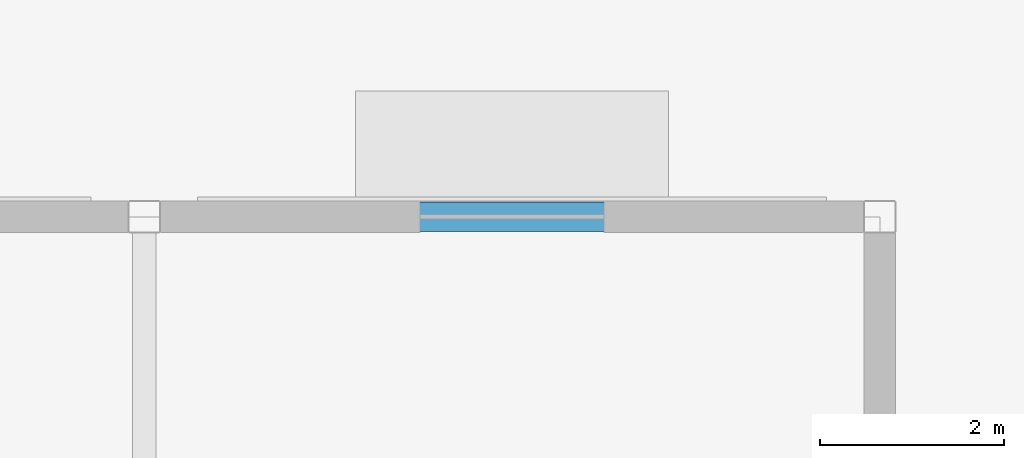
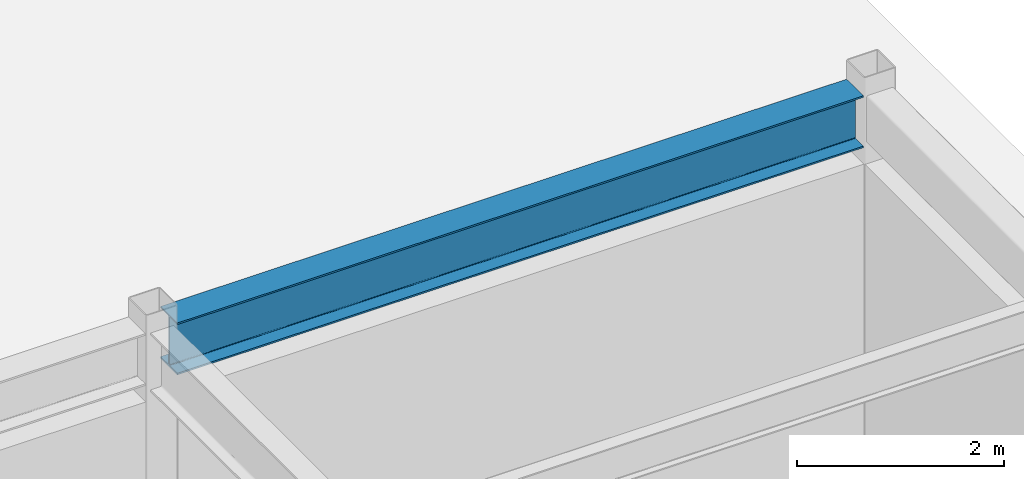
# One storey, part 83 of 128: 1 beam.
"""IFC4 building model written with IfcOpenShell, lengths in metres."""

from ifc_helpers import new_model, si_unit, direction, frame, origin, origin_2d, place, context, subcontext, project, spatial, i_section, extrude, material, material_profile, profile_set, type_object, element, save


model = new_model("IFC4")

# Units and contexts
model_context = context("Model", 3, precision=1e-05, world=origin(), true_north=direction((0.0, 1.0)))
body_context = subcontext(model_context, "Body", "Model", "MODEL_VIEW")
ifc_project = project(units=[si_unit("LENGTHUNIT", "METRE"), si_unit("AREAUNIT", "SQUARE_METRE"), si_unit("VOLUMEUNIT", "CUBIC_METRE"), si_unit("PLANEANGLEUNIT", "RADIAN"), si_unit("MASSUNIT", "GRAM", prefix="KILO")], contexts=[model_context])

# Site, building, storey
site_placement = place(None, origin())
site = spatial("IfcSite", under=ifc_project, at=site_placement, CompositionType="ELEMENT")
building_placement = place(site_placement, origin())
building = spatial("IfcBuilding", under=site, at=building_placement, Name="Solmirada Galleria", CompositionType="ELEMENT")
storey_placement = place(building_placement, origin())
storey = spatial("IfcBuildingStorey", under=building, at=storey_placement, Name="L00", CompositionType="ELEMENT", Elevation=0.0)

# Beam
ifc_material = material(Name="Steel S355 / ASTM A992 Grade 50", Category="steel")
ifc_material_profile = material_profile(ifc_material, i_section(OverallWidth=0.323974609375, OverallDepth=0.611083984375, WebThickness=0.0126953125, FlangeThickness=0.01904296875, FilletRadius=0.014892578125, at=origin_2d()), Name="W24X104")
ifc_profile_set = profile_set([ifc_material_profile], Name="Steel S355 / ASTM A992 Grade 50")
beam_type = type_object("IfcBeamType", Name="BM-GIRD-W24A", PredefinedType="BEAM", material=ifc_profile_set)
beam_placement = place(storey_placement, frame((168.177978515625, 32.0, 5.074462890625), z_axis=(1.0, 0.0, 0.0), x_axis=(0.0, 1.0, 0.0)))
element("IfcBeam", 1, at=beam_placement, inside=storey, type_object=beam_type, Name="Primary beam L01 X(168..176, 32)", PredefinedType="BEAM", context=body_context, shape_type="SweptSolid", body=[
    extrude(i_section(OverallWidth=0.323974609375, OverallDepth=0.611083984375, WebThickness=0.0126953125, FlangeThickness=0.01904296875, FilletRadius=0.014892578125, at=origin_2d()), origin(), (0.0, 0.0, 1.0), 7.64404296875),
])

save(model, "model.ifc")
